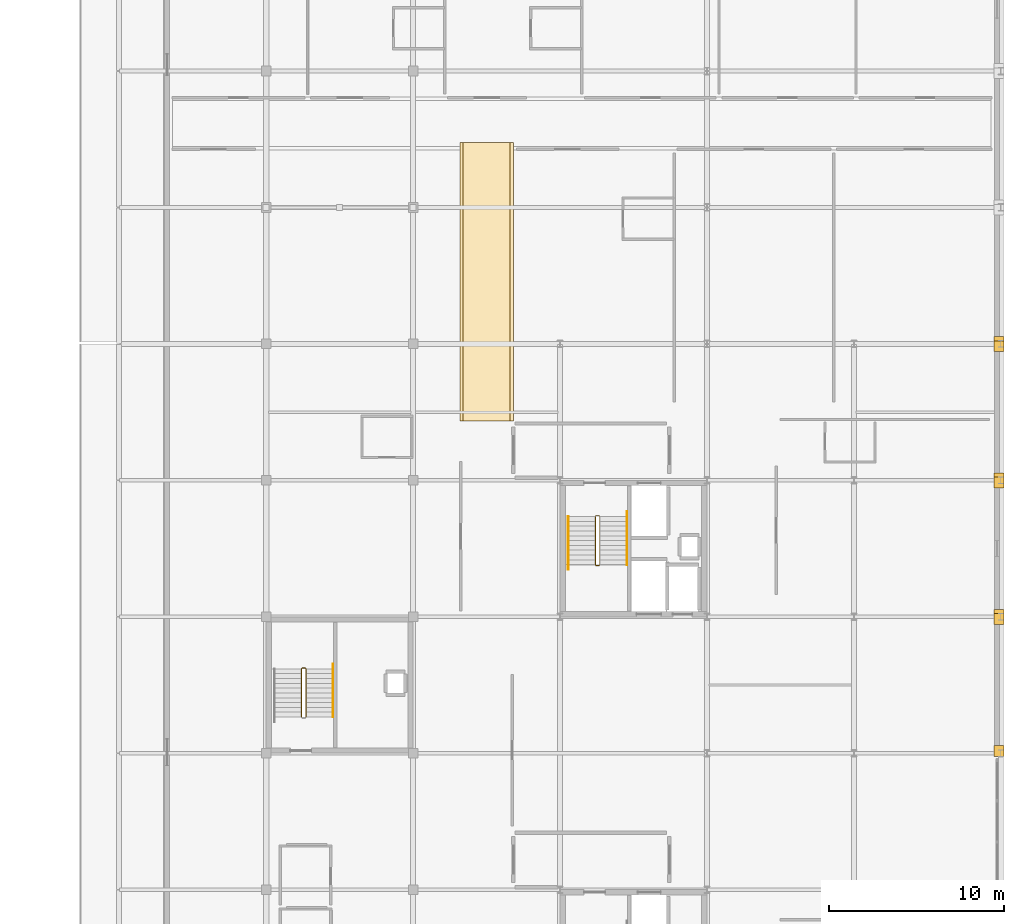
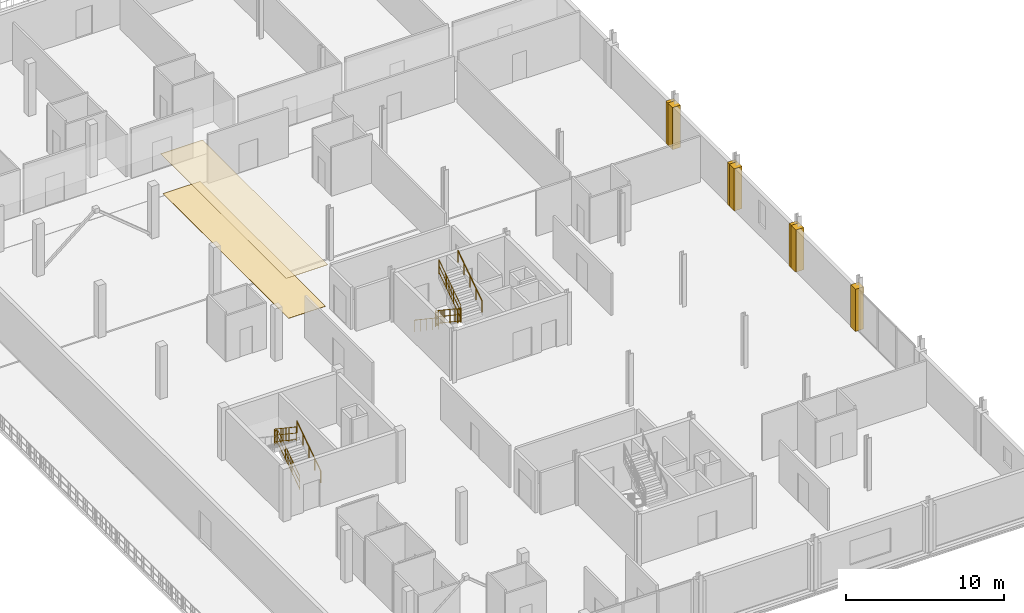
# One storey, part 18 of 20: 10 railings, 9 coverings.
"""IFC4 building model written with IfcOpenShell, lengths in metres."""

from ifc_helpers import new_model, si_unit, direction, frame, origin, origin_2d, place, context, subcontext, project, spatial, polyline, circle, outline, extrude, material, layer, layer_set, type_object, element, save


model = new_model("IFC4")

# Units and contexts
model_context = context("Model", 3, precision=1e-05, world=origin(), true_north=direction((0.0, 1.0)))
body_context = subcontext(model_context, "Body", "Model", "MODEL_VIEW")
ifc_project = project(units=[si_unit("LENGTHUNIT", "METRE"), si_unit("AREAUNIT", "SQUARE_METRE"), si_unit("VOLUMEUNIT", "CUBIC_METRE"), si_unit("PLANEANGLEUNIT", "RADIAN"), si_unit("MASSUNIT", "GRAM", prefix="KILO")], contexts=[model_context])

# Site, building, storey
site_placement = place(None, origin())
site = spatial("IfcSite", under=ifc_project, at=site_placement, CompositionType="ELEMENT")
building_placement = place(site_placement, origin())
building = spatial("IfcBuilding", under=site, at=building_placement, Name="Nabrawat Pavilion Hospital", CompositionType="ELEMENT")
storey_placement = place(building_placement, frame((0.0, 0.0, 27.0)))
storey = spatial("IfcBuildingStorey", under=building, at=storey_placement, Name="L06", CompositionType="ELEMENT", Elevation=27.0)

# Coverings
ifc_material_1 = material(Name="Precast concrete C40/50", Category="concrete")
ifc_layer_1 = layer(ifc_material_1, 0.360107421875, Name="Precast concrete C40/50")
ifc_layer_set_1 = layer_set([ifc_layer_1], Name="Precast concrete C40/50")
covering_type_1 = type_object("IfcCoveringType", Name="Architectural Precast Column-Jamb Closure Reveal", PredefinedType="CLADDING", material=ifc_layer_set_1)
covering_1_placement = place(storey_placement, origin())
element("IfcCovering", 1, at=covering_1_placement, inside=storey, type_object=covering_type_1, Name="L06 Precast Facade Column-Jamb Weatherseal Closure 0626", PredefinedType="CLADDING", context=body_context, shape_type="SweptSolid", body=[
    extrude(outline(polyline([(193.3798828125, 62.219970703125), (193.3798828125, 62.830078125), (192.800048828125, 62.830078125), (192.800048828125, 62.219970703125), (193.3798828125, 62.219970703125)])), origin(), (0.0, 0.0, 1.0), 3.260009765625),
])
covering_2_placement = place(storey_placement, origin())
element("IfcCovering", 2, at=covering_2_placement, inside=storey, type_object=covering_type_1, Name="L06 Precast Facade Column-Jamb Weatherseal Closure 0627", PredefinedType="CLADDING", context=body_context, shape_type="SweptSolid", body=[
    extrude(outline(polyline([(193.3798828125, 69.77001953125), (193.3798828125, 70.3798828125), (192.800048828125, 70.3798828125), (192.800048828125, 69.77001953125), (193.3798828125, 69.77001953125)])), origin(), (0.0, 0.0, 1.0), 3.260009765625),
])
covering_3_placement = place(storey_placement, origin())
element("IfcCovering", 3, at=covering_3_placement, inside=storey, type_object=covering_type_1, Name="L06 Precast Facade Column-Jamb Weatherseal Closure 0628", PredefinedType="CLADDING", context=body_context, shape_type="SweptSolid", body=[
    extrude(outline(polyline([(193.3798828125, 70.02001953125), (193.3798828125, 70.6298828125), (192.800048828125, 70.6298828125), (192.800048828125, 70.02001953125), (193.3798828125, 70.02001953125)])), origin(), (0.0, 0.0, 1.0), 3.260009765625),
])
covering_4_placement = place(storey_placement, origin())
element("IfcCovering", 4, at=covering_4_placement, inside=storey, type_object=covering_type_1, Name="L06 Precast Facade Column-Jamb Weatherseal Closure 0629", PredefinedType="CLADDING", context=body_context, shape_type="SweptSolid", body=[
    extrude(outline(polyline([(193.3798828125, 77.570068359375), (193.3798828125, 78.179931640625), (192.800048828125, 78.179931640625), (192.800048828125, 77.570068359375), (193.3798828125, 77.570068359375)])), origin(), (0.0, 0.0, 1.0), 3.260009765625),
])
covering_5_placement = place(storey_placement, origin())
element("IfcCovering", 5, at=covering_5_placement, inside=storey, type_object=covering_type_1, Name="L06 Precast Facade Column-Jamb Weatherseal Closure 0630", PredefinedType="CLADDING", context=body_context, shape_type="SweptSolid", body=[
    extrude(outline(polyline([(193.3798828125, 77.820068359375), (193.3798828125, 78.429931640625), (192.800048828125, 78.429931640625), (192.800048828125, 77.820068359375), (193.3798828125, 77.820068359375)])), origin(), (0.0, 0.0, 1.0), 3.260009765625),
])
covering_6_placement = place(storey_placement, origin())
element("IfcCovering", 6, at=covering_6_placement, inside=storey, type_object=covering_type_1, Name="L06 Precast Facade Column-Jamb Weatherseal Closure 0631", PredefinedType="CLADDING", context=body_context, shape_type="SweptSolid", body=[
    extrude(outline(polyline([(193.3798828125, 85.3701171875), (193.3798828125, 85.97998046875), (192.800048828125, 85.97998046875), (192.800048828125, 85.3701171875), (193.3798828125, 85.3701171875)])), origin(), (0.0, 0.0, 1.0), 3.260009765625),
])
covering_7_placement = place(storey_placement, origin())
element("IfcCovering", 7, at=covering_7_placement, inside=storey, type_object=covering_type_1, Name="L06 Precast Facade Column-Jamb Weatherseal Closure 0632", PredefinedType="CLADDING", context=body_context, shape_type="SweptSolid", body=[
    extrude(outline(polyline([(193.3798828125, 85.6201171875), (193.3798828125, 86.22998046875), (192.800048828125, 86.22998046875), (192.800048828125, 85.6201171875), (193.3798828125, 85.6201171875)])), origin(), (0.0, 0.0, 1.0), 3.260009765625),
])
ifc_material_2 = material(Name="Mineral-Fibre Hygienic Acoustic Board", Category="gypsum")
ifc_layer_2 = layer(ifc_material_2, 0.02490234375, Name="Mineral-Fibre Hygienic Acoustic Board")
ifc_layer_set_2 = layer_set([ifc_layer_2], Name="Mineral-Fibre Hygienic Acoustic Board")
covering_type_2 = type_object("IfcCoveringType", Name="Hygienic Anti-Bacterial Acoustic Tile Ceiling", PredefinedType="CEILING", material=ifc_layer_set_2)
covering_8_placement = place(storey_placement, frame((0.0, 0.0, 3.139892578125)))
element("IfcCovering", 8, at=covering_8_placement, inside=storey, type_object=covering_type_2, Name="L06 Clinical Corridor Acoustic Ceiling 13", PredefinedType="CEILING", context=body_context, shape_type="SweptSolid", body=[
    extrude(outline(polyline([(165.330078125, 81.39990234375), (165.330078125, 97.300048828125), (162.27001953125, 97.300048828125), (162.27001953125, 81.39990234375), (165.330078125, 81.39990234375)])), origin(), (0.0, 0.0, 1.0), 0.025146484375),
])
ifc_material_3 = material(Name="Homogeneous Medical PVC Vinyl", Category="plastic")
ifc_layer_3 = layer(ifc_material_3, 0.014892578125, Name="Homogeneous Medical PVC Vinyl")
ifc_layer_set_3 = layer_set([ifc_layer_3], Name="Homogeneous Medical PVC Vinyl")
covering_type_3 = type_object("IfcCoveringType", Name="Seamless Anti-Static Medical Vinyl Flooring", PredefinedType="FLOORING", material=ifc_layer_set_3)
covering_9_placement = place(storey_placement, origin())
element("IfcCovering", 9, at=covering_9_placement, inside=storey, type_object=covering_type_3, Name="L06 Clinical Corridor Medical Vinyl Flooring 13", PredefinedType="FLOORING", context=body_context, shape_type="SweptSolid", body=[
    extrude(outline(polyline([(165.14990234375, 81.39990234375), (165.14990234375, 97.300048828125), (162.449951171875, 97.300048828125), (162.449951171875, 81.39990234375), (165.14990234375, 81.39990234375)])), origin(), (0.0, 0.0, 1.0), 0.014892578125),
])

# Railings
ifc_material_4 = material(Name="Stainless Steel 316", Category="steel")
ifc_layer_4 = layer(ifc_material_4, 0.050048828125, Name="Stainless Steel 316")
ifc_layer_set_4 = layer_set([ifc_layer_4], Name="Stainless Steel 316")
railing_type_1 = type_object("IfcRailingType", Name="Stair Open-Well Safety Guardrail 1100", PredefinedType="GUARDRAIL", material=ifc_layer_set_4)
railing_1_placement = place(storey_placement, frame((170.02490234375, 75.929931640625, 0.18408203125)))
element("IfcRailing", 10, at=railing_1_placement, inside=storey, type_object=railing_type_1, Name="L06 ST-06 stair guard 1", PredefinedType="GUARDRAIL", context=body_context, shape_type="SweptSolid", body=[
    extrude(circle(Radius=0.02392578125, at=origin_2d()), frame((0.0, 0.0, 1.076171875), z_axis=(0.0, -0.831004616288, 0.556265519071), x_axis=(1.0, 0.0, 0.0)), (0.0, 0.0, 1.0), 3.309326171875),
    extrude(circle(Radius=0.02392578125, at=origin_2d()), frame((0.0, 0.0, 0.10009765625), z_axis=(0.0, -0.831004616288, 0.556265519071), x_axis=(1.0, 0.0, 0.0)), (0.0, 0.0, 1.0), 3.309326171875),
    extrude(circle(Radius=0.02392578125, at=origin_2d()), frame((0.0, 0.0, 0.60498046875), z_axis=(0.0, -0.831004616288, 0.556265519071), x_axis=(1.0, 0.0, 0.0)), (0.0, 0.0, 1.0), 3.309326171875),
    extrude(circle(Radius=0.008056640625, at=origin_2d()), frame((0.0, -0.196533203125, 0.2314453125)), (0.0, 0.0, 1.0), 0.951904296875),
    extrude(circle(Radius=0.008056640625, at=origin_2d()), frame((0.0, -0.392822265625, 0.363037109375)), (0.0, 0.0, 1.0), 0.951904296875),
    extrude(circle(Radius=0.008056640625, at=origin_2d()), frame((0.0, -0.58935546875, 0.494384765625)), (0.0, 0.0, 1.0), 0.951904296875),
    extrude(circle(Radius=0.008056640625, at=origin_2d()), frame((0.0, -0.78564453125, 0.6259765625)), (0.0, 0.0, 1.0), 0.951904296875),
    extrude(circle(Radius=0.008056640625, at=origin_2d()), frame((0.0, -0.982177734375, 0.75732421875)), (0.0, 0.0, 1.0), 0.951904296875),
    extrude(circle(Radius=0.008056640625, at=origin_2d()), frame((0.0, -1.178466796875, 0.888916015625)), (0.0, 0.0, 1.0), 0.951904296875),
    extrude(circle(Radius=0.008056640625, at=origin_2d()), frame((0.0, -1.375, 1.0205078125)), (0.0, 0.0, 1.0), 0.951904296875),
    extrude(circle(Radius=0.008056640625, at=origin_2d()), frame((0.0, -1.571533203125, 1.15185546875)), (0.0, 0.0, 1.0), 0.951904296875),
    extrude(circle(Radius=0.008056640625, at=origin_2d()), frame((0.0, -1.767822265625, 1.283447265625)), (0.0, 0.0, 1.0), 0.951904296875),
    extrude(circle(Radius=0.008056640625, at=origin_2d()), frame((0.0, -1.96435546875, 1.414794921875)), (0.0, 0.0, 1.0), 0.951904296875),
    extrude(circle(Radius=0.008056640625, at=origin_2d()), frame((0.0, -2.16064453125, 1.54638671875)), (0.0, 0.0, 1.0), 0.951904296875),
    extrude(circle(Radius=0.008056640625, at=origin_2d()), frame((0.0, -2.357177734375, 1.677734375)), (0.0, 0.0, 1.0), 0.951904296875),
    extrude(circle(Radius=0.008056640625, at=origin_2d()), frame((0.0, -2.553466796875, 1.809326171875)), (0.0, 0.0, 1.0), 0.951904296875),
    extrude(circle(Radius=0.02099609375, at=origin_2d()), origin(), (0.0, 0.0, 1.0), 1.052001953125),
    extrude(circle(Radius=0.02099609375, at=origin_2d()), frame((0.0, -0.916748046875, 0.613525390625)), (0.0, 0.0, 1.0), 1.052001953125),
    extrude(circle(Radius=0.02099609375, at=origin_2d()), frame((0.0, -1.833251953125, 1.227294921875)), (0.0, 0.0, 1.0), 1.052001953125),
    extrude(circle(Radius=0.02099609375, at=origin_2d()), frame((0.0, -2.75, 1.8408203125)), (0.0, 0.0, 1.0), 1.052001953125),
])
railing_2_placement = place(storey_placement, frame((170.050048828125, 73.1298828125, 2.02490234375)))
element("IfcRailing", 11, at=railing_2_placement, inside=storey, type_object=railing_type_1, Name="L06 ST-06 stair guard 2", PredefinedType="GUARDRAIL", context=body_context, shape_type="SweptSolid", body=[
    extrude(circle(Radius=0.02392578125, at=origin_2d()), frame((0.0, 0.0, 1.076171875), z_axis=(1.0, 0.0, 0.0), x_axis=(0.0, 1.0, 0.0)), (0.0, 0.0, 1.0), 0.199951171875),
    extrude(circle(Radius=0.02392578125, at=origin_2d()), frame((0.0, 0.0, 0.10009765625), z_axis=(1.0, 0.0, 0.0), x_axis=(0.0, 1.0, 0.0)), (0.0, 0.0, 1.0), 0.199951171875),
    extrude(circle(Radius=0.02392578125, at=origin_2d()), frame((0.0, 0.0, 0.60498046875), z_axis=(1.0, 0.0, 0.0), x_axis=(0.0, 1.0, 0.0)), (0.0, 0.0, 1.0), 0.199951171875),
    extrude(circle(Radius=0.008056640625, at=origin_2d()), frame((0.10009765625, 0.0, 0.10009765625)), (0.0, 0.0, 1.0), 0.951904296875),
    extrude(circle(Radius=0.02099609375, at=origin_2d()), origin(), (0.0, 0.0, 1.0), 1.052001953125),
    extrude(circle(Radius=0.02099609375, at=origin_2d()), frame((0.199951171875, 0.0, 0.0)), (0.0, 0.0, 1.0), 1.052001953125),
])
railing_3_placement = place(storey_placement, frame((170.27490234375, 73.179931640625, 2.208984375)))
element("IfcRailing", 12, at=railing_3_placement, inside=storey, type_object=railing_type_1, Name="L06 ST-06 stair guard 3", PredefinedType="GUARDRAIL", context=body_context, shape_type="SweptSolid", body=[
    extrude(circle(Radius=0.02392578125, at=origin_2d()), frame((0.0, 0.0, 1.076171875), z_axis=(0.0, 0.830970512829, 0.556316462824), x_axis=(-1.0, 0.0, 0.0)), (0.0, 0.0, 1.0), 3.309326171875),
    extrude(circle(Radius=0.02392578125, at=origin_2d()), frame((0.0, 0.0, 0.10009765625), z_axis=(0.0, 0.830970512829, 0.556316462824), x_axis=(-1.0, 0.0, 0.0)), (0.0, 0.0, 1.0), 3.309326171875),
    extrude(circle(Radius=0.02392578125, at=origin_2d()), frame((0.0, 0.0, 0.60498046875), z_axis=(0.0, 0.830970512829, 0.556316462824), x_axis=(-1.0, 0.0, 0.0)), (0.0, 0.0, 1.0), 3.309326171875),
    extrude(circle(Radius=0.008056640625, at=origin_2d()), frame((0.0, 0.196533203125, 0.2314453125)), (0.0, 0.0, 1.0), 0.951904296875),
    extrude(circle(Radius=0.008056640625, at=origin_2d()), frame((0.0, 0.392822265625, 0.363037109375)), (0.0, 0.0, 1.0), 0.951904296875),
    extrude(circle(Radius=0.008056640625, at=origin_2d()), frame((0.0, 0.58935546875, 0.49462890625)), (0.0, 0.0, 1.0), 0.951904296875),
    extrude(circle(Radius=0.008056640625, at=origin_2d()), frame((0.0, 0.78564453125, 0.6259765625)), (0.0, 0.0, 1.0), 0.951904296875),
    extrude(circle(Radius=0.008056640625, at=origin_2d()), frame((0.0, 0.982177734375, 0.757568359375)), (0.0, 0.0, 1.0), 0.951904296875),
    extrude(circle(Radius=0.008056640625, at=origin_2d()), frame((0.0, 1.178466796875, 0.888916015625)), (0.0, 0.0, 1.0), 0.951904296875),
    extrude(circle(Radius=0.008056640625, at=origin_2d()), frame((0.0, 1.375, 1.0205078125)), (0.0, 0.0, 1.0), 0.951904296875),
    extrude(circle(Radius=0.008056640625, at=origin_2d()), frame((0.0, 1.571533203125, 1.152099609375)), (0.0, 0.0, 1.0), 0.951904296875),
    extrude(circle(Radius=0.008056640625, at=origin_2d()), frame((0.0, 1.767822265625, 1.283447265625)), (0.0, 0.0, 1.0), 0.951904296875),
    extrude(circle(Radius=0.008056640625, at=origin_2d()), frame((0.0, 1.96435546875, 1.4150390625)), (0.0, 0.0, 1.0), 0.951904296875),
    extrude(circle(Radius=0.008056640625, at=origin_2d()), frame((0.0, 2.16064453125, 1.546630859375)), (0.0, 0.0, 1.0), 0.951904296875),
    extrude(circle(Radius=0.008056640625, at=origin_2d()), frame((0.0, 2.357177734375, 1.677978515625)), (0.0, 0.0, 1.0), 0.951904296875),
    extrude(circle(Radius=0.008056640625, at=origin_2d()), frame((0.0, 2.553466796875, 1.8095703125)), (0.0, 0.0, 1.0), 0.951904296875),
    extrude(circle(Radius=0.02099609375, at=origin_2d()), origin(), (0.0, 0.0, 1.0), 1.052001953125),
    extrude(circle(Radius=0.02099609375, at=origin_2d()), frame((0.0, 0.916748046875, 0.61376953125)), (0.0, 0.0, 1.0), 1.052001953125),
    extrude(circle(Radius=0.02099609375, at=origin_2d()), frame((0.0, 1.833251953125, 1.227294921875)), (0.0, 0.0, 1.0), 1.052001953125),
    extrude(circle(Radius=0.02099609375, at=origin_2d()), frame((0.0, 2.75, 1.841064453125)), (0.0, 0.0, 1.0), 1.052001953125),
])
railing_4_placement = place(storey_placement, frame((170.050048828125, 75.97998046875, 0.0)))
element("IfcRailing", 13, at=railing_4_placement, inside=storey, type_object=railing_type_1, Name="L06 ST-06 stair guard 4", PredefinedType="GUARDRAIL", context=body_context, shape_type="SweptSolid", body=[
    extrude(circle(Radius=0.02392578125, at=origin_2d()), frame((0.0, 0.0, 1.076171875), z_axis=(1.0, 0.0, 0.0), x_axis=(0.0, 1.0, 0.0)), (0.0, 0.0, 1.0), 0.199951171875),
    extrude(circle(Radius=0.02392578125, at=origin_2d()), frame((0.0, 0.0, 0.10009765625), z_axis=(1.0, 0.0, 0.0), x_axis=(0.0, 1.0, 0.0)), (0.0, 0.0, 1.0), 0.199951171875),
    extrude(circle(Radius=0.02392578125, at=origin_2d()), frame((0.0, 0.0, 0.60498046875), z_axis=(1.0, 0.0, 0.0), x_axis=(0.0, 1.0, 0.0)), (0.0, 0.0, 1.0), 0.199951171875),
    extrude(circle(Radius=0.008056640625, at=origin_2d()), frame((0.10009765625, 0.0, 0.10009765625)), (0.0, 0.0, 1.0), 0.951904296875),
    extrude(circle(Radius=0.02099609375, at=origin_2d()), origin(), (0.0, 0.0, 1.0), 1.052001953125),
    extrude(circle(Radius=0.02099609375, at=origin_2d()), frame((0.199951171875, 0.0, 0.0)), (0.0, 0.0, 1.0), 1.052001953125),
])
railing_5_placement = place(storey_placement, frame((153.47509765625, 64.469970703125, 0.18408203125)))
element("IfcRailing", 14, at=railing_5_placement, inside=storey, type_object=railing_type_1, Name="L06 ST-09 stair guard 1", PredefinedType="GUARDRAIL", context=body_context, shape_type="SweptSolid", body=[
    extrude(circle(Radius=0.02392578125, at=origin_2d()), frame((0.0, 0.0, 1.076171875), z_axis=(0.0, 0.831004616288, 0.556265519071), x_axis=(-1.0, 0.0, 0.0)), (0.0, 0.0, 1.0), 3.309326171875),
    extrude(circle(Radius=0.02392578125, at=origin_2d()), frame((0.0, 0.0, 0.10009765625), z_axis=(0.0, 0.831004616288, 0.556265519071), x_axis=(-1.0, 0.0, 0.0)), (0.0, 0.0, 1.0), 3.309326171875),
    extrude(circle(Radius=0.02392578125, at=origin_2d()), frame((0.0, 0.0, 0.60498046875), z_axis=(0.0, 0.831004616288, 0.556265519071), x_axis=(-1.0, 0.0, 0.0)), (0.0, 0.0, 1.0), 3.309326171875),
    extrude(circle(Radius=0.008056640625, at=origin_2d()), frame((0.0, 0.196533203125, 0.2314453125)), (0.0, 0.0, 1.0), 0.951904296875),
    extrude(circle(Radius=0.008056640625, at=origin_2d()), frame((0.0, 0.392822265625, 0.363037109375)), (0.0, 0.0, 1.0), 0.951904296875),
    extrude(circle(Radius=0.008056640625, at=origin_2d()), frame((0.0, 0.58935546875, 0.494384765625)), (0.0, 0.0, 1.0), 0.951904296875),
    extrude(circle(Radius=0.008056640625, at=origin_2d()), frame((0.0, 0.78564453125, 0.6259765625)), (0.0, 0.0, 1.0), 0.951904296875),
    extrude(circle(Radius=0.008056640625, at=origin_2d()), frame((0.0, 0.982177734375, 0.75732421875)), (0.0, 0.0, 1.0), 0.951904296875),
    extrude(circle(Radius=0.008056640625, at=origin_2d()), frame((0.0, 1.178466796875, 0.888916015625)), (0.0, 0.0, 1.0), 0.951904296875),
    extrude(circle(Radius=0.008056640625, at=origin_2d()), frame((0.0, 1.375, 1.0205078125)), (0.0, 0.0, 1.0), 0.951904296875),
    extrude(circle(Radius=0.008056640625, at=origin_2d()), frame((0.0, 1.571533203125, 1.15185546875)), (0.0, 0.0, 1.0), 0.951904296875),
    extrude(circle(Radius=0.008056640625, at=origin_2d()), frame((0.0, 1.767822265625, 1.283447265625)), (0.0, 0.0, 1.0), 0.951904296875),
    extrude(circle(Radius=0.008056640625, at=origin_2d()), frame((0.0, 1.96435546875, 1.414794921875)), (0.0, 0.0, 1.0), 0.951904296875),
    extrude(circle(Radius=0.008056640625, at=origin_2d()), frame((0.0, 2.16064453125, 1.54638671875)), (0.0, 0.0, 1.0), 0.951904296875),
    extrude(circle(Radius=0.008056640625, at=origin_2d()), frame((0.0, 2.357177734375, 1.677734375)), (0.0, 0.0, 1.0), 0.951904296875),
    extrude(circle(Radius=0.008056640625, at=origin_2d()), frame((0.0, 2.553466796875, 1.809326171875)), (0.0, 0.0, 1.0), 0.951904296875),
    extrude(circle(Radius=0.02099609375, at=origin_2d()), origin(), (0.0, 0.0, 1.0), 1.052001953125),
    extrude(circle(Radius=0.02099609375, at=origin_2d()), frame((0.0, 0.916748046875, 0.613525390625)), (0.0, 0.0, 1.0), 1.052001953125),
    extrude(circle(Radius=0.02099609375, at=origin_2d()), frame((0.0, 1.833251953125, 1.227294921875)), (0.0, 0.0, 1.0), 1.052001953125),
    extrude(circle(Radius=0.02099609375, at=origin_2d()), frame((0.0, 2.75, 1.8408203125)), (0.0, 0.0, 1.0), 1.052001953125),
])
railing_6_placement = place(storey_placement, frame((153.449951171875, 67.27001953125, 2.02490234375)))
element("IfcRailing", 15, at=railing_6_placement, inside=storey, type_object=railing_type_1, Name="L06 ST-09 stair guard 2", PredefinedType="GUARDRAIL", context=body_context, shape_type="SweptSolid", body=[
    extrude(circle(Radius=0.02392578125, at=origin_2d()), frame((0.0, 0.0, 1.076171875), z_axis=(-1.0, 0.0, 0.0), x_axis=(0.0, -1.0, 0.0)), (0.0, 0.0, 1.0), 0.199951171875),
    extrude(circle(Radius=0.02392578125, at=origin_2d()), frame((0.0, 0.0, 0.10009765625), z_axis=(-1.0, 0.0, 0.0), x_axis=(0.0, -1.0, 0.0)), (0.0, 0.0, 1.0), 0.199951171875),
    extrude(circle(Radius=0.02392578125, at=origin_2d()), frame((0.0, 0.0, 0.60498046875), z_axis=(-1.0, 0.0, 0.0), x_axis=(0.0, -1.0, 0.0)), (0.0, 0.0, 1.0), 0.199951171875),
    extrude(circle(Radius=0.008056640625, at=origin_2d()), frame((-0.10009765625, 0.0, 0.10009765625)), (0.0, 0.0, 1.0), 0.951904296875),
    extrude(circle(Radius=0.02099609375, at=origin_2d()), origin(), (0.0, 0.0, 1.0), 1.052001953125),
    extrude(circle(Radius=0.02099609375, at=origin_2d()), frame((-0.199951171875, 0.0, 0.0)), (0.0, 0.0, 1.0), 1.052001953125),
])
railing_7_placement = place(storey_placement, frame((153.22509765625, 67.219970703125, 2.208984375)))
element("IfcRailing", 16, at=railing_7_placement, inside=storey, type_object=railing_type_1, Name="L06 ST-09 stair guard 3", PredefinedType="GUARDRAIL", context=body_context, shape_type="SweptSolid", body=[
    extrude(circle(Radius=0.02392578125, at=origin_2d()), frame((0.0, 0.0, 1.076171875), z_axis=(0.0, -0.830970512829, 0.556316462824), x_axis=(1.0, 0.0, 0.0)), (0.0, 0.0, 1.0), 3.309326171875),
    extrude(circle(Radius=0.02392578125, at=origin_2d()), frame((0.0, 0.0, 0.10009765625), z_axis=(0.0, -0.830970512829, 0.556316462824), x_axis=(1.0, 0.0, 0.0)), (0.0, 0.0, 1.0), 3.309326171875),
    extrude(circle(Radius=0.02392578125, at=origin_2d()), frame((0.0, 0.0, 0.60498046875), z_axis=(0.0, -0.830970512829, 0.556316462824), x_axis=(1.0, 0.0, 0.0)), (0.0, 0.0, 1.0), 3.309326171875),
    extrude(circle(Radius=0.008056640625, at=origin_2d()), frame((0.0, -0.196533203125, 0.2314453125)), (0.0, 0.0, 1.0), 0.951904296875),
    extrude(circle(Radius=0.008056640625, at=origin_2d()), frame((0.0, -0.392822265625, 0.363037109375)), (0.0, 0.0, 1.0), 0.951904296875),
    extrude(circle(Radius=0.008056640625, at=origin_2d()), frame((0.0, -0.58935546875, 0.49462890625)), (0.0, 0.0, 1.0), 0.951904296875),
    extrude(circle(Radius=0.008056640625, at=origin_2d()), frame((0.0, -0.78564453125, 0.6259765625)), (0.0, 0.0, 1.0), 0.951904296875),
    extrude(circle(Radius=0.008056640625, at=origin_2d()), frame((0.0, -0.982177734375, 0.757568359375)), (0.0, 0.0, 1.0), 0.951904296875),
    extrude(circle(Radius=0.008056640625, at=origin_2d()), frame((0.0, -1.178466796875, 0.888916015625)), (0.0, 0.0, 1.0), 0.951904296875),
    extrude(circle(Radius=0.008056640625, at=origin_2d()), frame((0.0, -1.375, 1.0205078125)), (0.0, 0.0, 1.0), 0.951904296875),
    extrude(circle(Radius=0.008056640625, at=origin_2d()), frame((0.0, -1.571533203125, 1.152099609375)), (0.0, 0.0, 1.0), 0.951904296875),
    extrude(circle(Radius=0.008056640625, at=origin_2d()), frame((0.0, -1.767822265625, 1.283447265625)), (0.0, 0.0, 1.0), 0.951904296875),
    extrude(circle(Radius=0.008056640625, at=origin_2d()), frame((0.0, -1.96435546875, 1.4150390625)), (0.0, 0.0, 1.0), 0.951904296875),
    extrude(circle(Radius=0.008056640625, at=origin_2d()), frame((0.0, -2.16064453125, 1.546630859375)), (0.0, 0.0, 1.0), 0.951904296875),
    extrude(circle(Radius=0.008056640625, at=origin_2d()), frame((0.0, -2.357177734375, 1.677978515625)), (0.0, 0.0, 1.0), 0.951904296875),
    extrude(circle(Radius=0.008056640625, at=origin_2d()), frame((0.0, -2.553466796875, 1.8095703125)), (0.0, 0.0, 1.0), 0.951904296875),
    extrude(circle(Radius=0.02099609375, at=origin_2d()), origin(), (0.0, 0.0, 1.0), 1.052001953125),
    extrude(circle(Radius=0.02099609375, at=origin_2d()), frame((0.0, -0.916748046875, 0.61376953125)), (0.0, 0.0, 1.0), 1.052001953125),
    extrude(circle(Radius=0.02099609375, at=origin_2d()), frame((0.0, -1.833251953125, 1.227294921875)), (0.0, 0.0, 1.0), 1.052001953125),
    extrude(circle(Radius=0.02099609375, at=origin_2d()), frame((0.0, -2.75, 1.841064453125)), (0.0, 0.0, 1.0), 1.052001953125),
])
ifc_layer_5 = layer(ifc_material_4, 0.044921875, Name="Stainless Steel 316")
ifc_layer_set_5 = layer_set([ifc_layer_5], Name="Stainless Steel 316")
railing_type_2 = type_object("IfcRailingType", Name="Stair Pitch Continuous Handrail 920", PredefinedType="HANDRAIL", material=ifc_layer_set_5)
railing_8_placement = place(storey_placement, frame((168.47509765625, 75.929931640625, 0.188232421875)))
element("IfcRailing", 17, at=railing_8_placement, inside=storey, type_object=railing_type_2, Name="L06 ST-06 stair handrail 1", PredefinedType="HANDRAIL", context=body_context, shape_type="SweptSolid", body=[
    extrude(circle(Radius=0.02392578125, at=origin_2d()), frame((0.0, 0.0, 0.89599609375), z_axis=(0.0, -0.830996314782, 0.556277920484), x_axis=(1.0, 0.0, 0.0)), (0.0, 0.0, 1.0), 3.64013671875),
    extrude(circle(Radius=0.02099609375, at=origin_2d()), origin(), (0.0, 0.0, 1.0), 0.871826171875),
    extrude(circle(Radius=0.02099609375, at=origin_2d()), frame((0.0, -0.75634765625, 0.50634765625)), (0.0, 0.0, 1.0), 0.871826171875),
    extrude(circle(Radius=0.02099609375, at=origin_2d()), frame((0.0, -1.512451171875, 1.012451171875)), (0.0, 0.0, 1.0), 0.871826171875),
    extrude(circle(Radius=0.02099609375, at=origin_2d()), frame((0.0, -2.2685546875, 1.5185546875)), (0.0, 0.0, 1.0), 0.871826171875),
    extrude(circle(Radius=0.02099609375, at=origin_2d()), frame((0.0, -3.02490234375, 2.02490234375)), (0.0, 0.0, 1.0), 0.871826171875),
])
for number, where, name in (
    (18, (171.824951171875, 73.179931640625, 2.213134765625), "L06 ST-06 stair handrail 2"),
    (19, (155.02490234375, 64.469970703125, 0.188232421875), "L06 ST-09 stair handrail 1"),
):
    element("IfcRailing", number, at=place(storey_placement, frame(where)), inside=storey, type_object=railing_type_2, Name=name, PredefinedType="HANDRAIL", context=body_context, shape_type="SweptSolid", body=[
        extrude(circle(Radius=0.02392578125, at=origin_2d()), frame((0.0, 0.0, 0.89599609375), z_axis=(0.0, 0.831017067507, 0.556246917755), x_axis=(-1.0, 0.0, 0.0)), (0.0, 0.0, 1.0), 3.640380859375),
        extrude(circle(Radius=0.02099609375, at=origin_2d()), origin(), (0.0, 0.0, 1.0), 0.871826171875),
        extrude(circle(Radius=0.02099609375, at=origin_2d()), frame((0.0, 0.75634765625, 0.50634765625)), (0.0, 0.0, 1.0), 0.871826171875),
        extrude(circle(Radius=0.02099609375, at=origin_2d()), frame((0.0, 1.5126953125, 1.012451171875)), (0.0, 0.0, 1.0), 0.871826171875),
        extrude(circle(Radius=0.02099609375, at=origin_2d()), frame((0.0, 2.268798828125, 1.5185546875)), (0.0, 0.0, 1.0), 0.871826171875),
        extrude(circle(Radius=0.02099609375, at=origin_2d()), frame((0.0, 3.025146484375, 2.02490234375)), (0.0, 0.0, 1.0), 0.871826171875),
    ])

save(model, "model.ifc")
